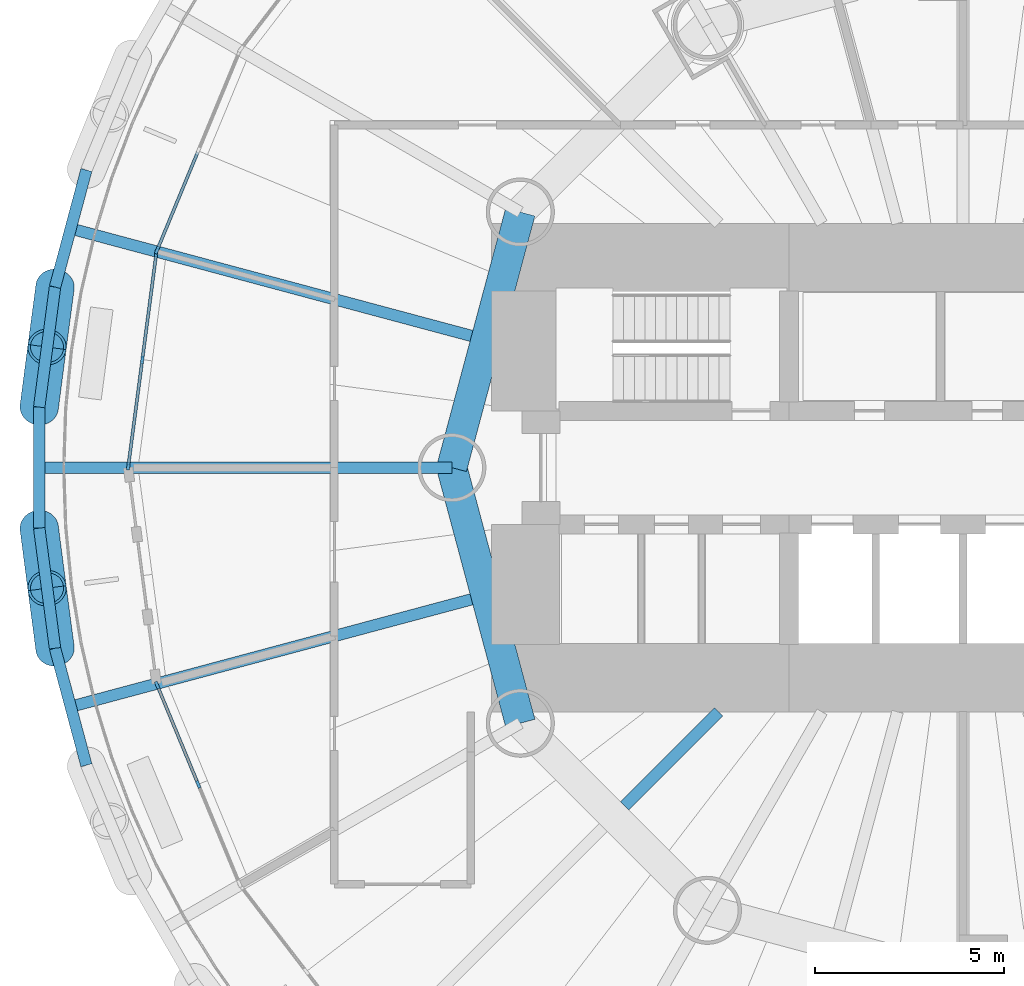
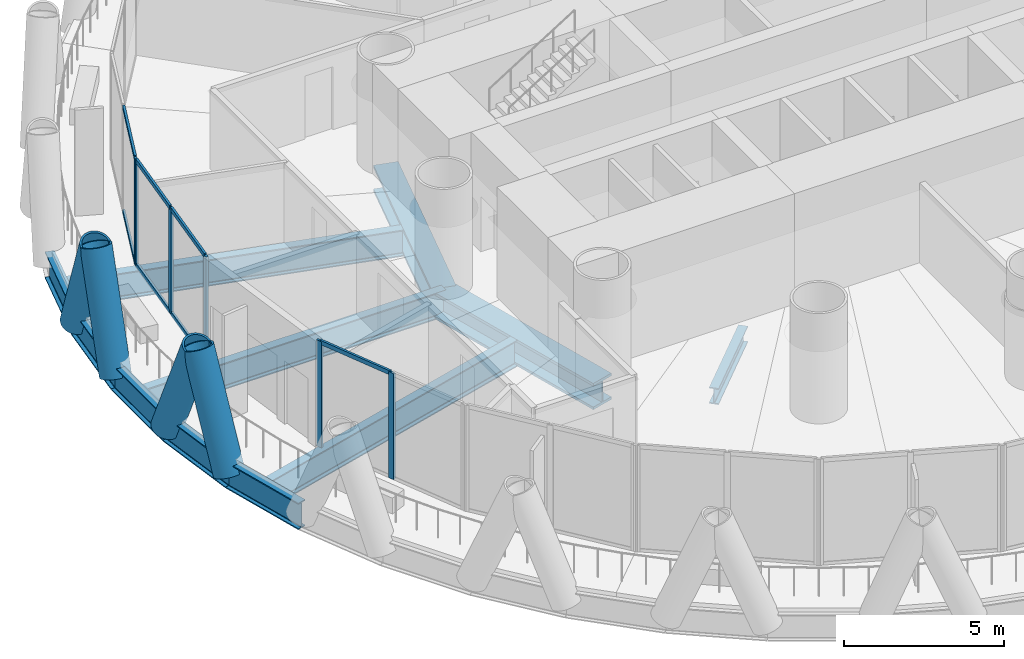
# One storey, part 3 of 16: 17 members, 11 beams, 3 elements without a shape of their own.
"""IFC4 building model written with IfcOpenShell, lengths in metres."""

import ifcopenshell
import ifcopenshell.guid

model = None  # the IFC model being written
_history = None  # IfcOwnerHistory: only IFC2X3 demands one
_inside = {}  # id of a spatial element -> (the spatial element, [elements in it])
_under = {}  # id of a project, library or spatial element -> (it, [spatial elements below it])
_declared = {}  # id of a project -> (the project, [libraries it declares])
_typed = {}  # id of a type object -> (the type object, [elements of that type])
_made_of = {}  # id of a material, layer set ... -> (it, [elements and type objects made of it])


def new_model(schema):
    """Start an empty IFC model of exactly this schema.

    Asked for "IFC4X3", IfcOpenShell would pick the latest addendum, in which some entities
    have other attributes; the version numbers below select the first issue.
    IFC2X3 requires an IfcOwnerHistory on every rooted entity: one is made here for all.
    """
    global model, _history
    if schema == "IFC4X3":
        model = ifcopenshell.file(schema_version=(4, 3, 0, 0))
    else:
        model = ifcopenshell.file(schema=schema)
    _inside.clear()
    _under.clear()
    _declared.clear()
    _typed.clear()
    _made_of.clear()
    _history = None
    if model.schema == "IFC2X3":
        org = make("IfcOrganization", Name="unknown")
        user = make(
            "IfcPersonAndOrganization",
            ThePerson=make("IfcPerson", FamilyName="unknown"),
            TheOrganization=org,
        )
        app = make(
            "IfcApplication",
            ApplicationDeveloper=org,
            Version="unknown",
            ApplicationFullName="unknown",
            ApplicationIdentifier="unknown",
        )
        _history = make(
            "IfcOwnerHistory",
            OwningUser=user,
            OwningApplication=app,
            ChangeAction="ADDED",
            CreationDate=0,
        )
    return model


def make(cls, **values):
    """One entity of the class cls with the attributes given. An attribute that is None is left unset."""
    return model.create_entity(
        cls, **{name: value for name, value in values.items() if value is not None}
    )


def rooted(cls, **values):
    """An entity with a GlobalId (a new one), such as an element, a storey or a relation."""
    return make(cls, GlobalId=ifcopenshell.guid.new(), OwnerHistory=_history, **values)


def si_unit(unit_type, name, prefix=None):
    """IfcSIUnit, for example si_unit("LENGTHUNIT", "METRE", prefix="MILLI")."""
    return make("IfcSIUnit", UnitType=unit_type, Prefix=prefix, Name=name)


def assignment(units):
    """IfcUnitAssignment: the units of a project."""
    return None if units is None else make("IfcUnitAssignment", Units=units)


def point(xyz):
    """IfcCartesianPoint."""
    return None if xyz is None else make("IfcCartesianPoint", Coordinates=xyz)


def direction(xyz):
    """IfcDirection."""
    return None if xyz is None else make("IfcDirection", DirectionRatios=xyz)


def frame(location, z_axis=None, x_axis=None):
    """IfcAxis2Placement3D, a coordinate frame: its origin and axes. An axis left out is left unset."""
    return make(
        "IfcAxis2Placement3D",
        Location=point(location),
        Axis=direction(z_axis),
        RefDirection=direction(x_axis),
    )


def frame_2d(location, x_axis=None):
    """IfcAxis2Placement2D, a coordinate frame in the plane: its origin and x axis."""
    return make(
        "IfcAxis2Placement2D", Location=point(location), RefDirection=direction(x_axis)
    )


def origin():
    """The frame at (0, 0, 0) with its axes left unset."""
    return frame((0.0, 0.0, 0.0))


def origin_2d():
    """The frame at (0, 0) in the plane with its x axis left unset."""
    return frame_2d((0.0, 0.0))


def place(relative_to, where):
    """IfcLocalPlacement: puts the frame where relative to a parent placement (None: the world)."""
    return make(
        "IfcLocalPlacement", PlacementRelTo=relative_to, RelativePlacement=where
    )


def context(
    kind, dimensions, precision=None, world=None, true_north=None, identifier=None
):
    """IfcGeometricRepresentationContext, for example the 3D "Model" context."""
    return make(
        "IfcGeometricRepresentationContext",
        ContextIdentifier=identifier,
        ContextType=kind,
        CoordinateSpaceDimension=dimensions,
        Precision=precision,
        WorldCoordinateSystem=world,
        TrueNorth=true_north,
    )


def subcontext(parent, identifier, kind, view, scale=None):
    """IfcGeometricRepresentationSubContext, for example "Body" below "Model"."""
    return make(
        "IfcGeometricRepresentationSubContext",
        ContextIdentifier=identifier,
        ContextType=kind,
        ParentContext=parent,
        TargetScale=scale,
        TargetView=view,
    )


def project(units=None, contexts=None):
    """IfcProject with its units and contexts."""
    return rooted(
        "IfcProject",
        Name="project",
        RepresentationContexts=contexts,
        UnitsInContext=assignment(units),
    )


def spatial(cls, under=None, at=None, **own):
    """A site, building, storey or space (cls), placed at a placement, below another one or the project."""
    s = rooted(cls, ObjectPlacement=at, **own)
    if under is not None:
        _under.setdefault(under.id(), (under, []))[1].append(s)
    return s


def profile(cls, at=None, kind="AREA", **sizes):
    """A parametric profile (cls). Its sizes go by their IFC names, for example OverallWidth=200.0."""
    return make(cls, ProfileType=kind, Position=at, **sizes)


def rectangle(**sizes):
    """IfcRectangleProfileDef."""
    return profile("IfcRectangleProfileDef", **sizes)


def hollow_circle(**sizes):
    """IfcCircleHollowProfileDef."""
    return profile("IfcCircleHollowProfileDef", **sizes)


def i_section(**sizes):
    """IfcIShapeProfileDef."""
    return profile("IfcIShapeProfileDef", **sizes)


def extrude(swept, where, along, depth):
    """IfcExtrudedAreaSolid: the profile swept, set in the frame where, extruded along a direction by depth."""
    return make(
        "IfcExtrudedAreaSolid",
        SweptArea=swept,
        Position=where,
        ExtrudedDirection=direction(along),
        Depth=depth,
    )


def shape(context_of_items, identifier, shape_type, items):
    """IfcShapeRepresentation: the items that make up one representation, for example the "Body"."""
    return make(
        "IfcShapeRepresentation",
        ContextOfItems=context_of_items,
        RepresentationIdentifier=identifier,
        RepresentationType=shape_type,
        Items=items,
    )


def material(Name=None, Category=None):
    """IfcMaterial."""
    return make("IfcMaterial", Name=Name, Category=Category)


def material_profile(
    of_material, cross_section, Name=None, Category=None, Priority=None
):
    """IfcMaterialProfile: a cross section and its material."""
    return make(
        "IfcMaterialProfile",
        Name=Name,
        Material=of_material,
        Profile=cross_section,
        Priority=Priority,
        Category=Category,
    )


def profile_set(profiles, Name=None, composite=None):
    """IfcMaterialProfileSet."""
    return make(
        "IfcMaterialProfileSet",
        Name=Name,
        MaterialProfiles=profiles,
        CompositeProfile=composite,
    )


def made_of(thing, what):
    """Note that an element or type object is made of a material, layer set ...; save() writes the relation."""
    if what is not None:
        _made_of.setdefault(what.id(), (what, []))[1].append(thing)
    return thing


def type_object(cls, material=None, **own):
    """A type object (cls), such as IfcWallType, which elements share."""
    return made_of(rooted(cls, **own), material)


def element(
    cls,
    number,
    at=None,
    inside=None,
    cuts=None,
    type_object=None,
    material=None,
    context=None,
    identifier="Body",
    shape_type=None,
    held_by="IfcProductDefinitionShape",
    body=None,
    shapes=None,
    **own,
):
    """One element of the class cls, such as IfcWall. Its Tag is "e" and its number.

    at: its placement. inside: the storey or other place that contains it. cuts: it is an
    opening in that element (IfcRelVoidsElement). A single representation is given by context,
    identifier, shape_type and body (its items); several are given by shapes. held_by: the class
    of the entity that holds the representations. save() writes the other relations.
    """
    e = rooted(cls, Tag="e%d" % number, ObjectPlacement=at, **own)
    if body is not None:
        shapes = [shape(context, identifier, shape_type, body)]
    if shapes is not None:
        e.Representation = make(held_by, Representations=shapes)
    if inside is not None:
        _inside.setdefault(inside.id(), (inside, []))[1].append(e)
    if cuts is not None:
        rooted(
            "IfcRelVoidsElement", RelatingBuildingElement=cuts, RelatedOpeningElement=e
        )
    if type_object is not None:
        _typed.setdefault(type_object.id(), (type_object, []))[1].append(e)
    return made_of(e, material)


def aggregate(whole, parts):
    """IfcRelAggregates: a whole, such as a stair, and the parts it consists of."""
    return rooted("IfcRelAggregates", RelatingObject=whole, RelatedObjects=parts)


def save(model, path):
    """Write the relations noted so far, then the file.

    IfcRelAggregates (storeys below a building ...), IfcRelContainedInSpatialStructure (elements
    in a storey), IfcRelDefinesByType, IfcRelAssociatesMaterial and IfcRelDeclares: one each for
    every whole, place, type object, material and project.
    """
    for whole, parts in _under.values():
        aggregate(whole, parts)
    for where, things in _inside.values():
        rooted(
            "IfcRelContainedInSpatialStructure",
            RelatedElements=things,
            RelatingStructure=where,
        )
    for kind, things in _typed.values():
        rooted("IfcRelDefinesByType", RelatedObjects=things, RelatingType=kind)
    for what, things in _made_of.values():
        rooted("IfcRelAssociatesMaterial", RelatedObjects=things, RelatingMaterial=what)
    for by, libraries in _declared.values():
        rooted("IfcRelDeclares", RelatingContext=by, RelatedDefinitions=libraries)
    model.write(path)


model = new_model("IFC4")

# Units and contexts
model_context = context("Model", 3, precision=1e-05, world=origin(), true_north=direction((0.0, 1.0)))
body_context = subcontext(model_context, "Body", "Model", "MODEL_VIEW")
ifc_project = project(units=[si_unit("LENGTHUNIT", "METRE"), si_unit("AREAUNIT", "SQUARE_METRE"), si_unit("VOLUMEUNIT", "CUBIC_METRE"), si_unit("PLANEANGLEUNIT", "RADIAN"), si_unit("MASSUNIT", "GRAM", prefix="KILO")], contexts=[model_context])

# Site, building, storey
site_placement = place(None, origin())
site = spatial("IfcSite", under=ifc_project, at=site_placement, CompositionType="ELEMENT")
building_placement = place(site_placement, origin())
building = spatial("IfcBuilding", under=site, at=building_placement, Name="Qaws Media Tower", CompositionType="ELEMENT")
storey_placement = place(building_placement, frame((0.0, 0.0, 181.39990234375)))
storey = spatial("IfcBuildingStorey", under=building, at=storey_placement, Name="L41", CompositionType="ELEMENT", Elevation=181.39990234375)

# Curtain wall, member
ifc_material_1 = material(Name="Aluminium and clear glass", Category="aluminium")
curtain_wall_type = type_object("IfcCurtainWallType", Name="Unitised curtain wall CW-B", PredefinedType="NOTDEFINED", material=ifc_material_1)
curtain_wall_1_placement = place(storey_placement, origin())
curtain_wall_1 = element("IfcCurtainWall", 1, at=curtain_wall_1_placement, inside=storey, type_object=curtain_wall_type, Name="CWB curtain wall L41-11", PredefinedType="NOTDEFINED")
ifc_material_2 = material(Name="Aluminium mullion", Category="aluminium")
ifc_material_profile_1 = material_profile(ifc_material_2, rectangle(XDim=0.080078125, YDim=0.199951171875, at=origin_2d()), Name="80x200")
ifc_profile_set_1 = profile_set([ifc_material_profile_1], Name="Aluminium mullion")
member_type_1 = type_object("IfcMemberType", Name="Curtain wall mullion 80x200", PredefinedType="MULLION", material=ifc_profile_set_1)
member_1_placement = place(storey_placement, frame((38.716552734375, 55.743896484375, 0.0), z_axis=(0.0, 0.0, 1.0), x_axis=(0.923879550525, -0.382683388877, 0.0)))
member_1 = element("IfcMember", 2, at=member_1_placement, type_object=member_type_1, Name="CWB mullion 3", PredefinedType="MULLION", context=body_context, shape_type="SweptSolid", body=[
    extrude(rectangle(XDim=0.080078125, YDim=0.199951171875, at=origin_2d()), origin(), (0.0, 0.0, 1.0), 4.0400390625),
])

# Curtain wall, members
curtain_wall_2_placement = place(storey_placement, origin())
curtain_wall_2 = element("IfcCurtainWall", 3, at=curtain_wall_2_placement, inside=storey, type_object=curtain_wall_type, Name="CWB curtain wall L41-12", PredefinedType="NOTDEFINED")
member_2_placement = place(storey_placement, frame((38.696044921875, 55.667236328125, 0.0), z_axis=(0.0, 0.0, 1.0), x_axis=(0.991444850979, -0.130526271178, 0.0)))
member_2 = element("IfcMember", 4, at=member_2_placement, type_object=member_type_1, Name="CWB mullion 1", PredefinedType="MULLION", context=body_context, shape_type="SweptSolid", body=[
    extrude(rectangle(XDim=0.080078125, YDim=0.199951171875, at=origin_2d()), origin(), (0.0, 0.0, 1.0), 4.0400390625),
])
member_3_placement = place(storey_placement, frame((38.32568359375, 52.853515625, 0.0), z_axis=(0.0, 0.0, 1.0), x_axis=(0.991444850979, -0.130526271178, 0.0)))
member_3 = element("IfcMember", 5, at=member_3_placement, type_object=member_type_1, Name="CWB mullion 2", PredefinedType="MULLION", context=body_context, shape_type="SweptSolid", body=[
    extrude(rectangle(XDim=0.080078125, YDim=0.199951171875, at=origin_2d()), origin(), (0.0, 0.0, 1.0), 4.0400390625),
])
member_4_placement = place(storey_placement, frame((37.955322265625, 50.03955078125, 0.0), z_axis=(0.0, 0.0, 1.0), x_axis=(0.991444850979, -0.130526271178, 0.0)))
member_4 = element("IfcMember", 6, at=member_4_placement, type_object=member_type_1, Name="CWB mullion 3", PredefinedType="MULLION", context=body_context, shape_type="SweptSolid", body=[
    extrude(rectangle(XDim=0.080078125, YDim=0.199951171875, at=origin_2d()), origin(), (0.0, 0.0, 1.0), 4.0400390625),
])

curtain_wall_3_placement = place(storey_placement, origin())
curtain_wall_3 = element("IfcCurtainWall", 7, at=curtain_wall_3_placement, inside=storey, type_object=curtain_wall_type, Name="CWB curtain wall L41-14", PredefinedType="NOTDEFINED")
member_5_placement = place(storey_placement, frame((38.716552734375, 44.256103515625, 0.0), z_axis=(0.0, 0.0, 1.0), x_axis=(0.923879550525, 0.382683388877, 0.0)))
member_5 = element("IfcMember", 8, at=member_5_placement, type_object=member_type_1, Name="CWB mullion 1", PredefinedType="MULLION", context=body_context, shape_type="SweptSolid", body=[
    extrude(rectangle(XDim=0.080078125, YDim=0.199951171875, at=origin_2d()), origin(), (0.0, 0.0, 1.0), 4.0400390625),
])
member_6_placement = place(storey_placement, frame((39.802734375, 41.634033203125, 0.0), z_axis=(0.0, 0.0, 1.0), x_axis=(0.923879550525, 0.382683388877, 0.0)))
member_6 = element("IfcMember", 9, at=member_6_placement, type_object=member_type_1, Name="CWB mullion 2", PredefinedType="MULLION", context=body_context, shape_type="SweptSolid", body=[
    extrude(rectangle(XDim=0.080078125, YDim=0.199951171875, at=origin_2d()), origin(), (0.0, 0.0, 1.0), 4.0400390625),
])

# Member
ifc_material_3 = material(Name="Aluminium transom", Category="aluminium")
ifc_material_profile_2 = material_profile(ifc_material_3, rectangle(XDim=0.080078125, YDim=0.159912109375, at=origin_2d()), Name="80x160")
ifc_profile_set_2 = profile_set([ifc_material_profile_2], Name="Aluminium transom")
member_type_2 = type_object("IfcMemberType", Name="Curtain wall transom 80x160", PredefinedType="USERDEFINED", material=ifc_profile_set_2)
member_7_placement = place(storey_placement, frame((39.787353515625, 58.3291015625, 0.0400390625), z_axis=(-0.382641035771, -0.923897092616, 0.0), x_axis=(0.923897092616, -0.382641035771, 0.0)))
member_7 = element("IfcMember", 10, at=member_7_placement, type_object=member_type_2, Name="CWB transom 2.1", ObjectType="TRANSOM", PredefinedType="USERDEFINED", context=body_context, shape_type="SweptSolid", body=[
    extrude(rectangle(XDim=0.080078125, YDim=0.159912109375, at=origin_2d()), origin(), (0.0, 0.0, 1.0), 2.75830078125),
])

member_8_placement = place(storey_placement, frame((39.787353515625, 58.3291015625, 4.0), z_axis=(-0.382641035771, -0.923897092616, 0.0), x_axis=(0.923897092616, -0.382641035771, 0.0)))
member_8 = element("IfcMember", 11, at=member_8_placement, type_object=member_type_2, Name="CWB transom 2.2", ObjectType="TRANSOM", PredefinedType="USERDEFINED", context=body_context, shape_type="SweptSolid", body=[
    extrude(rectangle(XDim=0.080078125, YDim=0.159912109375, at=origin_2d()), origin(), (0.0, 0.0, 1.0), 2.75830078125),
])

aggregate(curtain_wall_1, [member_1, member_7, member_8])

member_9_placement = place(storey_placement, frame((38.69091796875, 55.627685546875, 0.0400390625), z_axis=(-0.130557546748, -0.991440732967, 0.0), x_axis=(0.991440732967, -0.130557546748, 0.0)))
member_9 = element("IfcMember", 12, at=member_9_placement, type_object=member_type_2, Name="CWB transom 1.1", ObjectType="TRANSOM", PredefinedType="USERDEFINED", context=body_context, shape_type="SweptSolid", body=[
    extrude(rectangle(XDim=0.080078125, YDim=0.159912109375, at=origin_2d()), origin(), (0.0, 0.0, 1.0), 2.75830078125),
])

member_10_placement = place(storey_placement, frame((38.69091796875, 55.627685546875, 4.0), z_axis=(-0.130557546748, -0.991440732967, 0.0), x_axis=(0.991440732967, -0.130557546748, 0.0)))
member_10 = element("IfcMember", 13, at=member_10_placement, type_object=member_type_2, Name="CWB transom 1.2", ObjectType="TRANSOM", PredefinedType="USERDEFINED", context=body_context, shape_type="SweptSolid", body=[
    extrude(rectangle(XDim=0.080078125, YDim=0.159912109375, at=origin_2d()), origin(), (0.0, 0.0, 1.0), 2.75830078125),
])

member_11_placement = place(storey_placement, frame((38.320556640625, 52.813720703125, 0.0400390625), z_axis=(-0.13056900495, -0.991439224031, 0.0), x_axis=(0.991439224031, -0.13056900495, 0.0)))
member_11 = element("IfcMember", 14, at=member_11_placement, type_object=member_type_2, Name="CWB transom 2.1", ObjectType="TRANSOM", PredefinedType="USERDEFINED", context=body_context, shape_type="SweptSolid", body=[
    extrude(rectangle(XDim=0.080078125, YDim=0.159912109375, at=origin_2d()), origin(), (0.0, 0.0, 1.0), 2.758056640625),
])

member_12_placement = place(storey_placement, frame((38.320556640625, 52.813720703125, 4.0), z_axis=(-0.13056900495, -0.991439224031, 0.0), x_axis=(0.991439224031, -0.13056900495, 0.0)))
member_12 = element("IfcMember", 15, at=member_12_placement, type_object=member_type_2, Name="CWB transom 2.2", ObjectType="TRANSOM", PredefinedType="USERDEFINED", context=body_context, shape_type="SweptSolid", body=[
    extrude(rectangle(XDim=0.080078125, YDim=0.159912109375, at=origin_2d()), origin(), (0.0, 0.0, 1.0), 2.758056640625),
])

aggregate(curtain_wall_2, [member_2, member_3, member_4, member_9, member_10, member_11, member_12])

member_13_placement = place(storey_placement, frame((38.73193359375, 44.21923828125, 4.0), z_axis=(0.382641035771, -0.923897092616, 0.0), x_axis=(0.923897092616, 0.382641035771, 0.0)))
member_13 = element("IfcMember", 16, at=member_13_placement, type_object=member_type_2, Name="CWB transom 1.2", ObjectType="TRANSOM", PredefinedType="USERDEFINED", context=body_context, shape_type="SweptSolid", body=[
    extrude(rectangle(XDim=0.080078125, YDim=0.159912109375, at=origin_2d()), origin(), (0.0, 0.0, 1.0), 2.75830078125),
])

aggregate(curtain_wall_3, [member_5, member_6, member_13])

# Members
ifc_material_4 = material(Name="Steel S460", Category="steel")
ifc_material_profile_3 = material_profile(ifc_material_4, hollow_circle(Radius=0.508056640625, WallThickness=0.070068359375, at=origin_2d()), Name="CHS 1016x70")
ifc_profile_set_3 = profile_set([ifc_material_profile_3], Name="Steel S460")
member_type_3 = type_object("IfcMemberType", Name="Diagrid member CHS 1016x70", PredefinedType="USERDEFINED", material=ifc_profile_set_3)
member_14_placement = place(storey_placement, frame((36.019775390625, 54.77001953125, -0.663818359375), z_axis=(-0.049457614825, -0.371676265111, 0.927044064912), x_axis=(0.991262533176, -0.131903716104, 0.0)))
element("IfcMember", 17, at=member_14_placement, inside=storey, type_object=member_type_3, Name="DG3 diagrid L41 A12", ObjectType="DIAGRID", PredefinedType="USERDEFINED", context=body_context, shape_type="SweptSolid", body=[
    extrude(hollow_circle(Radius=0.508056640625, WallThickness=0.070068359375, at=origin_2d()), origin(), (0.0, 0.0, 1.0), 4.26513671875),
])
for number, where, z_axis, x_axis, name in (
    (18, (35.602294921875, 48.40087890625, -0.663818359375), (0.048427629009, -0.371793676608, 0.927051361459), (0.991623381894, 0.129162953207, 0.0), "DG3 diagrid L41 A13"),
    (19, (35.602294921875, 51.59912109375, -0.663818359375), (0.048427629009, 0.371793676608, 0.927051361459), (-0.991623381894, 0.129162953207, 0.0), "DG3 diagrid L41 B13"),
):
    element("IfcMember", number, at=place(storey_placement, frame(where, z_axis=z_axis, x_axis=x_axis)), inside=storey, type_object=member_type_3, Name=name, ObjectType="DIAGRID", PredefinedType="USERDEFINED", context=body_context, shape_type="SweptSolid", body=[
        extrude(hollow_circle(Radius=0.508056640625, WallThickness=0.070068359375, at=origin_2d()), origin(), (0.0, 0.0, 1.0), 4.264892578125),
    ])
member_15_placement = place(storey_placement, frame((36.019775390625, 45.22998046875, -0.663818359375), z_axis=(-0.049457614825, 0.371676265111, 0.927044064912), x_axis=(-0.991262533176, -0.131903716104, 0.0)))
element("IfcMember", 20, at=member_15_placement, inside=storey, type_object=member_type_3, Name="DG3 diagrid L41 B14", ObjectType="DIAGRID", PredefinedType="USERDEFINED", context=body_context, shape_type="SweptSolid", body=[
    extrude(hollow_circle(Radius=0.508056640625, WallThickness=0.070068359375, at=origin_2d()), origin(), (0.0, 0.0, 1.0), 4.26513671875),
])

# Beams
ifc_material_5 = material(Name="Steel S460", Category="steel")
ifc_material_profile_4 = material_profile(ifc_material_5, i_section(OverallWidth=0.302001953125, OverallDepth=1.008056640625, WebThickness=0.02099609375, FlangeThickness=0.0400390625, FilletRadius=0.030029296875, at=origin_2d()), Name="HE 1000 M")
ifc_profile_set_4 = profile_set([ifc_material_profile_4], Name="Steel S460")
beam_type_1 = type_object("IfcBeamType", Name="Edge ring beam HE 1000 M", PredefinedType="BEAM", material=ifc_profile_set_4)
for number, where, z_axis, x_axis, name in (
    (21, (36.84765625, 57.859130859375, -0.663818359375), (-0.258864548189, -0.965913632625, 0.0), (0.965913632625, -0.258864548189, 0.0), "RB3 edge ring beam L41-22"),
    (22, (36.019775390625, 54.77001953125, -0.663818359375), (-0.130533497709, -0.991443899561, 0.0), (0.991443899561, -0.130533497709, 0.0), "RB3 edge ring beam L41-23"),
    (23, (35.602294921875, 51.59912109375, -0.663818359375), (0.0, -1.0, 0.0), (1.0, 0.0, 0.0), "RB3 edge ring beam L41-24"),
    (24, (35.602294921875, 48.40087890625, -0.663818359375), (0.130533497709, -0.991443899561, 0.0), (0.991443899561, 0.130533497709, 0.0), "RB3 edge ring beam L41-25"),
    (25, (36.019775390625, 45.22998046875, -0.663818359375), (0.258864548189, -0.965913632625, 0.0), (0.965913632625, 0.258864548189, 0.0), "RB3 edge ring beam L41-26"),
):
    element("IfcBeam", number, at=place(storey_placement, frame(where, z_axis=z_axis, x_axis=x_axis)), inside=storey, type_object=beam_type_1, Name=name, PredefinedType="BEAM", context=body_context, shape_type="SweptSolid", body=[
        extrude(i_section(OverallWidth=0.302001953125, OverallDepth=1.008056640625, WebThickness=0.02099609375, FlangeThickness=0.0400390625, FilletRadius=0.030029296875, at=origin_2d()), origin(), (0.0, 0.0, 1.0), 3.1982421875),
    ])
ifc_material_6 = material(Name="Steel S460", Category="steel")
ifc_material_profile_5 = material_profile(ifc_material_6, i_section(OverallWidth=0.800048828125, OverallDepth=1.0, WebThickness=0.0400390625, FlangeThickness=0.10009765625, at=origin_2d()), Name="PG 1000x800")
ifc_profile_set_5 = profile_set([ifc_material_profile_5], Name="Steel S460")
beam_type_2 = type_object("IfcBeamType", Name="Inner ring girder PG 1000x800", PredefinedType="BEAM", material=ifc_profile_set_5)
for number, where, z_axis, x_axis, name in (
    (26, (48.30859375, 56.75, -0.659912109375), (-0.258810593767, -0.965928090778, 0.0), (0.965928090778, -0.258810593767, 0.0), "B3 inner ring beam L41 I06-I07"),
    (27, (46.5, 50.0, -0.659912109375), (0.258810593767, -0.965928090778, 0.0), (0.965928090778, 0.258810593767, 0.0), "B3 inner ring beam L41 I07-I08"),
):
    element("IfcBeam", number, at=place(storey_placement, frame(where, z_axis=z_axis, x_axis=x_axis)), inside=storey, type_object=beam_type_2, Name=name, PredefinedType="BEAM", context=body_context, shape_type="SweptSolid", body=[
        extrude(i_section(OverallWidth=0.800048828125, OverallDepth=1.0, WebThickness=0.0400390625, FlangeThickness=0.10009765625, at=origin_2d()), origin(), (0.0, 0.0, 1.0), 6.988037109375),
    ])
ifc_material_7 = material(Name="Steel S355", Category="steel")
ifc_material_profile_6 = material_profile(ifc_material_7, i_section(OverallWidth=0.302001953125, OverallDepth=1.008056640625, WebThickness=0.02099609375, FlangeThickness=0.0400390625, FilletRadius=0.030029296875, at=origin_2d()), Name="HE 1000 M")
ifc_profile_set_6 = profile_set([ifc_material_profile_6], Name="Steel S355")
beam_type_3 = type_object("IfcBeamType", Name="Radial beam HE 1000 M", PredefinedType="BEAM", material=ifc_profile_set_6)
beam_1_placement = place(storey_placement, frame((47.01806640625, 53.478515625, -0.663818359375), z_axis=(-0.965923984208, 0.258825919743, 0.0), x_axis=(-0.258825919743, -0.965923984208, 0.0)))
element("IfcBeam", 28, at=beam_1_placement, inside=storey, type_object=beam_type_3, Name="B1 radial beam L41 12", PredefinedType="BEAM", context=body_context, shape_type="SweptSolid", body=[
    extrude(i_section(OverallWidth=0.302001953125, OverallDepth=1.008056640625, WebThickness=0.02099609375, FlangeThickness=0.0400390625, FilletRadius=0.030029296875, at=origin_2d()), origin(), (0.0, 0.0, 1.0), 10.957763671875),
])
beam_2_placement = place(storey_placement, frame((46.5, 50.0, -0.663818359375), z_axis=(-1.0, 0.0, 0.0), x_axis=(0.0, -1.0, 0.0)))
element("IfcBeam", 29, at=beam_2_placement, inside=storey, type_object=beam_type_3, Name="B1 radial beam L41 13", PredefinedType="BEAM", context=body_context, shape_type="SweptSolid", body=[
    extrude(i_section(OverallWidth=0.302001953125, OverallDepth=1.008056640625, WebThickness=0.02099609375, FlangeThickness=0.0400390625, FilletRadius=0.030029296875, at=origin_2d()), origin(), (0.0, 0.0, 1.0), 10.897705078125),
])
beam_3_placement = place(storey_placement, frame((47.01806640625, 46.521484375, -0.663818359375), z_axis=(-0.965923984208, -0.258825919743, 0.0), x_axis=(0.258825919743, -0.965923984208, 0.0)))
element("IfcBeam", 30, at=beam_3_placement, inside=storey, type_object=beam_type_3, Name="B1 radial beam L41 14", PredefinedType="BEAM", context=body_context, shape_type="SweptSolid", body=[
    extrude(i_section(OverallWidth=0.302001953125, OverallDepth=1.008056640625, WebThickness=0.02099609375, FlangeThickness=0.0400390625, FilletRadius=0.030029296875, at=origin_2d()), origin(), (0.0, 0.0, 1.0), 10.957763671875),
])
ifc_material_8 = material(Name="Steel S355", Category="steel")
ifc_material_profile_7 = material_profile(ifc_material_8, i_section(OverallWidth=0.304931640625, OverallDepth=0.6201171875, WebThickness=0.02099609375, FlangeThickness=0.0400390625, FilletRadius=0.027099609375, at=origin_2d()), Name="HE 600 M")
ifc_profile_set_7 = profile_set([ifc_material_profile_7], Name="Steel S355")
beam_type_4 = type_object("IfcBeamType", Name="Radial beam HE 600 M, core side", PredefinedType="BEAM", material=ifc_profile_set_7)
beam_4_placement = place(storey_placement, frame((53.550048828125, 43.550048828125, -0.469970703125), z_axis=(-0.707106781187, -0.707106781187, 0.0), x_axis=(0.707106781187, -0.707106781187, 0.0)))
element("IfcBeam", 31, at=beam_4_placement, inside=storey, type_object=beam_type_4, Name="B2 radial beam L41 16", PredefinedType="BEAM", context=body_context, shape_type="SweptSolid", body=[
    extrude(i_section(OverallWidth=0.304931640625, OverallDepth=0.6201171875, WebThickness=0.02099609375, FlangeThickness=0.0400390625, FilletRadius=0.027099609375, at=origin_2d()), origin(), (0.0, 0.0, 1.0), 3.518310546875),
])

save(model, "model.ifc")
